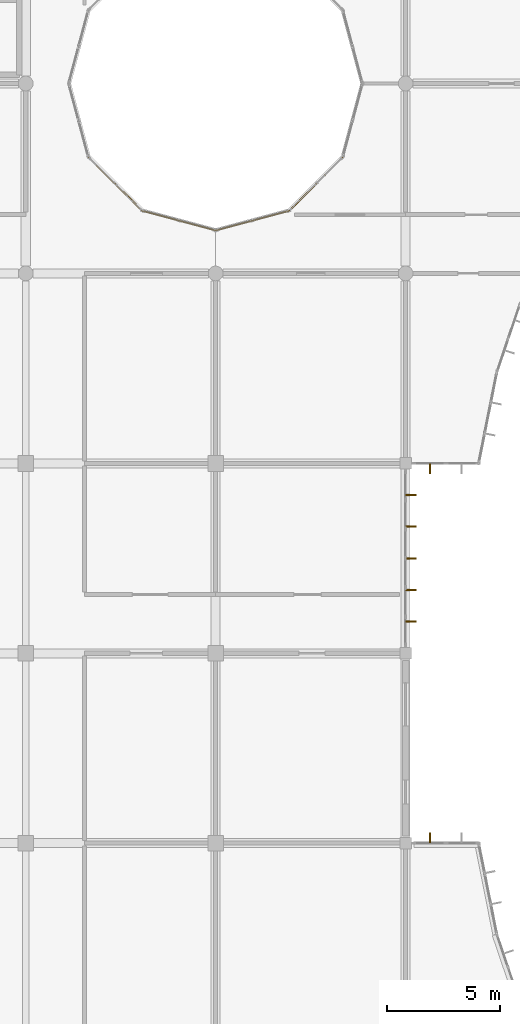
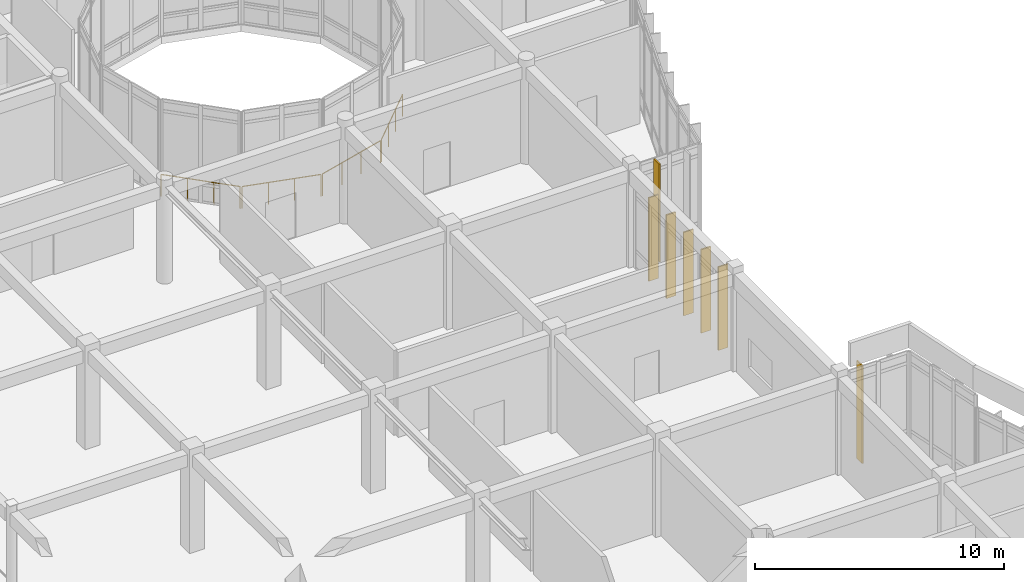
# One storey, part 121 of 134: 7 shading devices, 4 railings.
"""IFC4 building model written with IfcOpenShell, lengths in metres."""

from ifc_helpers import new_model, si_unit, direction, frame, origin, origin_2d, place, context, subcontext, project, spatial, rectangle, circle, extrude, material, material_profile, profile_set, type_object, element, save


model = new_model("IFC4")

# Units and contexts
model_context = context("Model", 3, precision=1e-05, world=origin(), true_north=direction((0.0, 1.0)))
body_context = subcontext(model_context, "Body", "Model", "MODEL_VIEW")
ifc_project = project(units=[si_unit("LENGTHUNIT", "METRE"), si_unit("AREAUNIT", "SQUARE_METRE"), si_unit("VOLUMEUNIT", "CUBIC_METRE"), si_unit("PLANEANGLEUNIT", "RADIAN"), si_unit("MASSUNIT", "GRAM", prefix="KILO")], contexts=[model_context])

# Site, building, storey
site_placement = place(None, origin())
site = spatial("IfcSite", under=ifc_project, at=site_placement, CompositionType="ELEMENT")
building_placement = place(site_placement, origin())
building = spatial("IfcBuilding", under=site, at=building_placement, Name="Bramfleet General Hospital", CompositionType="ELEMENT")
storey_placement = place(building_placement, frame((0.0, 0.0, 9.300048828125)))
storey = spatial("IfcBuildingStorey", under=building, at=storey_placement, Name="L02", CompositionType="ELEMENT", Elevation=9.300048828125)

# Railings
ifc_material_1 = material(Name="Stainless steel 1.4401 safety balustrade", Category="steel")
railing_type = type_object("IfcRailingType", Name="RAIL-EXT-GUARD", PredefinedType="GUARDRAIL", material=ifc_material_1)
railing_1_placement = place(storey_placement, frame((111.993896484375, 63.922119140625, 0.0)))
element("IfcRailing", 1, at=railing_1_placement, inside=storey, type_object=railing_type, Name="L02 Safety Guard Rail 102", PredefinedType="GUARDRAIL", context=body_context, shape_type="SweptSolid", body=[
    extrude(circle(Radius=0.02392578125, at=origin_2d()), frame((0.0, 0.0, 1.076171875), z_axis=(0.707106781187, -0.707106781187, 0.0), x_axis=(0.707106781187, 0.707106781187, 0.0)), (0.0, 0.0, 1.0), 3.292724609375),
    extrude(circle(Radius=0.02099609375, at=origin_2d()), origin(), (0.0, 0.0, 1.0), 1.052001953125),
    extrude(circle(Radius=0.02099609375, at=origin_2d()), frame((0.776123046875, -0.776123046875, 0.0)), (0.0, 0.0, 1.0), 1.052001953125),
    extrude(circle(Radius=0.02099609375, at=origin_2d()), frame((1.55224609375, -1.55224609375, 0.0)), (0.0, 0.0, 1.0), 1.052001953125),
    extrude(circle(Radius=0.02099609375, at=origin_2d()), frame((2.328369140625, -2.328369140625, 0.0)), (0.0, 0.0, 1.0), 1.052001953125),
])
railing_2_placement = place(storey_placement, frame((114.3837890625, 61.55810546875, 0.0)))
element("IfcRailing", 2, at=railing_2_placement, inside=storey, type_object=railing_type, Name="L02 Safety Guard Rail 103", PredefinedType="GUARDRAIL", context=body_context, shape_type="SweptSolid", body=[
    extrude(circle(Radius=0.02392578125, at=origin_2d()), frame((0.0, 0.0, 1.076171875), z_axis=(0.965941433202, -0.258760792284, 0.0), x_axis=(0.258760792284, 0.965941433202, 0.0)), (0.0, 0.0, 1.0), 3.292724609375),
    extrude(circle(Radius=0.02099609375, at=origin_2d()), origin(), (0.0, 0.0, 1.0), 1.052001953125),
    extrude(circle(Radius=0.02099609375, at=origin_2d()), frame((1.060302734375, -0.283935546875, 0.0)), (0.0, 0.0, 1.0), 1.052001953125),
    extrude(circle(Radius=0.02099609375, at=origin_2d()), frame((2.120361328125, -0.568115234375, 0.0)), (0.0, 0.0, 1.0), 1.052001953125),
    extrude(circle(Radius=0.02099609375, at=origin_2d()), frame((3.1806640625, -0.85205078125, 0.0)), (0.0, 0.0, 1.0), 1.052001953125),
])
railing_3_placement = place(storey_placement, frame((117.635498046875, 60.7060546875, 0.0)))
element("IfcRailing", 3, at=railing_3_placement, inside=storey, type_object=railing_type, Name="L02 Safety Guard Rail 104", PredefinedType="GUARDRAIL", context=body_context, shape_type="SweptSolid", body=[
    extrude(circle(Radius=0.02392578125, at=origin_2d()), frame((0.0, 0.0, 1.076171875), z_axis=(0.965941433202, 0.258760792284, 0.0), x_axis=(-0.258760792284, 0.965941433202, 0.0)), (0.0, 0.0, 1.0), 3.292724609375),
    extrude(circle(Radius=0.02099609375, at=origin_2d()), origin(), (0.0, 0.0, 1.0), 1.052001953125),
    extrude(circle(Radius=0.02099609375, at=origin_2d()), frame((1.060302734375, 0.283935546875, 0.0)), (0.0, 0.0, 1.0), 1.052001953125),
    extrude(circle(Radius=0.02099609375, at=origin_2d()), frame((2.120361328125, 0.568115234375, 0.0)), (0.0, 0.0, 1.0), 1.052001953125),
    extrude(circle(Radius=0.02099609375, at=origin_2d()), frame((3.1806640625, 0.85205078125, 0.0)), (0.0, 0.0, 1.0), 1.052001953125),
])
railing_4_placement = place(storey_placement, frame((120.877685546875, 61.59375, 0.0)))
element("IfcRailing", 4, at=railing_4_placement, inside=storey, type_object=railing_type, Name="L02 Safety Guard Rail 105", PredefinedType="GUARDRAIL", context=body_context, shape_type="SweptSolid", body=[
    extrude(circle(Radius=0.02392578125, at=origin_2d()), frame((0.0, 0.0, 1.076171875), z_axis=(0.707143850033, 0.707069710397, 0.0), x_axis=(-0.707069710397, 0.707143850033, 0.0)), (0.0, 0.0, 1.0), 3.29296875),
    extrude(circle(Radius=0.02099609375, at=origin_2d()), origin(), (0.0, 0.0, 1.0), 1.052001953125),
    extrude(circle(Radius=0.02099609375, at=origin_2d()), frame((0.776123046875, 0.776123046875, 0.0)), (0.0, 0.0, 1.0), 1.052001953125),
    extrude(circle(Radius=0.02099609375, at=origin_2d()), frame((1.552490234375, 1.55224609375, 0.0)), (0.0, 0.0, 1.0), 1.052001953125),
    extrude(circle(Radius=0.02099609375, at=origin_2d()), frame((2.32861328125, 2.328369140625, 0.0)), (0.0, 0.0, 1.0), 1.052001953125),
])

# Shading devices
ifc_material_2 = material(Name="Treated European larch timber", Category="wood")
ifc_material_profile = material_profile(ifc_material_2, rectangle(XDim=0.06494140625, YDim=0.449951171875, at=origin_2d()), Name="LARCH FIN 450x65")
ifc_profile_set = profile_set([ifc_material_profile], Name="Treated European larch timber")
shading_device_type = type_object("IfcShadingDeviceType", Name="SHD-FIN-450", PredefinedType="USERDEFINED", material=ifc_profile_set)
shading_device_1_placement = place(storey_placement, frame((127.080078125, 50.159912109375, -0.02001953125), z_axis=(0.0, 0.0, 1.0), x_axis=(-1.0, 0.0, 0.0)))
element("IfcShadingDevice", 5, at=shading_device_1_placement, inside=storey, type_object=shading_device_type, Name="L02 Larch Timber Shading Fin 436", ObjectType="Fin", PredefinedType="USERDEFINED", context=body_context, shape_type="SweptSolid", body=[
    extrude(rectangle(XDim=0.06494140625, YDim=0.449951171875, at=origin_2d()), origin(), (0.0, 0.0, 1.0), 4.800048828125),
])
for number, where, z_axis, x_axis, name in (
    (6, (126.239990234375, 49.0, -0.02001953125), (0.0, 0.0, 1.0), (0.0, -1.0, 0.0), "L02 Larch Timber Shading Fin 437"),
    (7, (126.239990234375, 47.60009765625, -0.02001953125), (0.0, 0.0, 1.0), (0.0, -1.0, 0.0), "L02 Larch Timber Shading Fin 438"),
    (8, (126.239990234375, 46.199951171875, -0.02001953125), (0.0, 0.0, 1.0), (0.0, -1.0, 0.0), "L02 Larch Timber Shading Fin 439"),
    (9, (126.239990234375, 44.800048828125, -0.02001953125), (0.0, 0.0, 1.0), (0.0, -1.0, 0.0), "L02 Larch Timber Shading Fin 440"),
    (10, (126.239990234375, 43.39990234375, -0.02001953125), (0.0, 0.0, 1.0), (0.0, -1.0, 0.0), "L02 Larch Timber Shading Fin 441"),
):
    element("IfcShadingDevice", number, at=place(storey_placement, frame(where, z_axis=z_axis, x_axis=x_axis)), inside=storey, type_object=shading_device_type, Name=name, ObjectType="Fin", PredefinedType="USERDEFINED", context=body_context, shape_type="SweptSolid", body=[
        extrude(rectangle(XDim=0.06494140625, YDim=0.449951171875, at=origin_2d()), origin(), (0.0, 0.0, 1.0), 4.099853515625),
    ])
shading_device_2_placement = place(storey_placement, frame((127.080078125, 33.840087890625, -0.02001953125), z_axis=(0.0, 0.0, 1.0), x_axis=(1.0, 0.0, 0.0)))
element("IfcShadingDevice", 11, at=shading_device_2_placement, inside=storey, type_object=shading_device_type, Name="L02 Larch Timber Shading Fin 442", ObjectType="Fin", PredefinedType="USERDEFINED", context=body_context, shape_type="SweptSolid", body=[
    extrude(rectangle(XDim=0.06494140625, YDim=0.449951171875, at=origin_2d()), origin(), (0.0, 0.0, 1.0), 4.800048828125),
])

save(model, "model.ifc")
